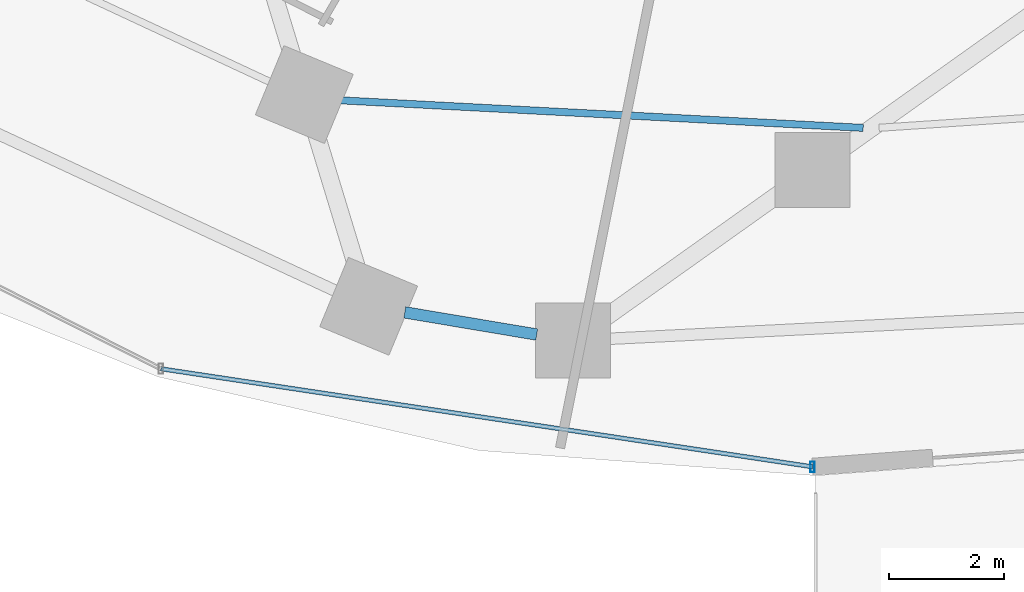
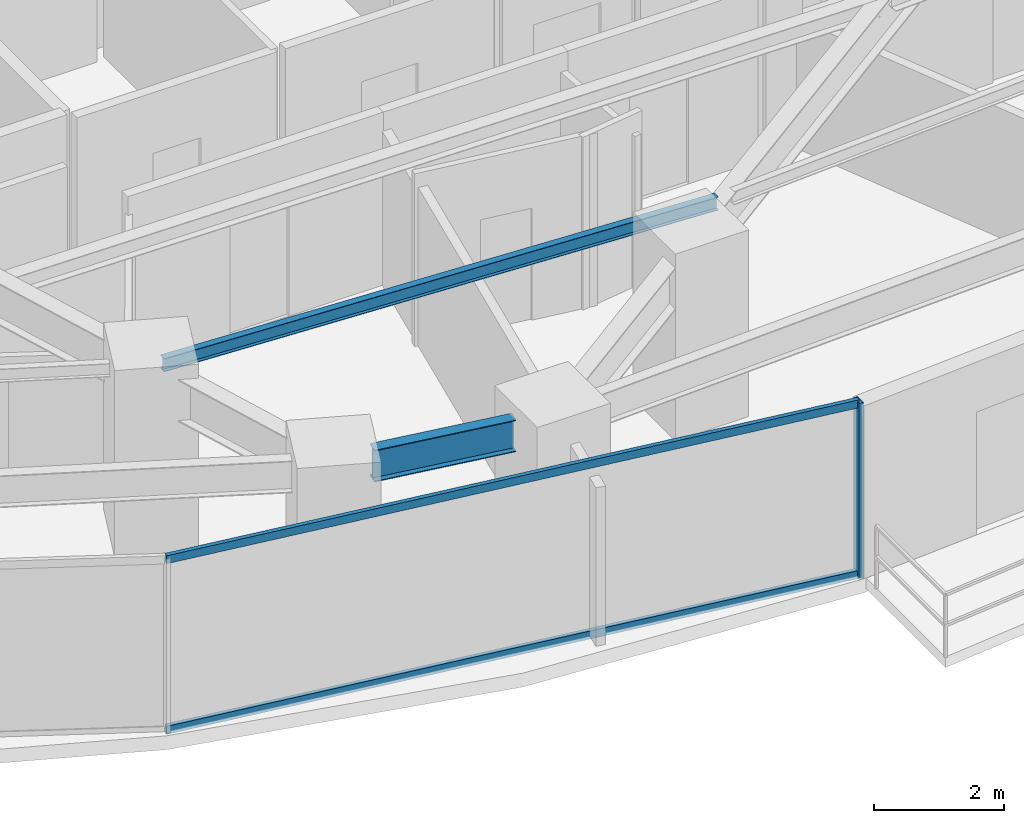
# One storey, part 6 of 35: 3 members, 2 beams, 1 element without a shape of its own.
"""IFC4 building model written with IfcOpenShell, lengths in metres."""

import ifcopenshell
import ifcopenshell.guid

model = None  # the IFC model being written
_history = None  # IfcOwnerHistory: only IFC2X3 demands one
_inside = {}  # id of a spatial element -> (the spatial element, [elements in it])
_under = {}  # id of a project, library or spatial element -> (it, [spatial elements below it])
_declared = {}  # id of a project -> (the project, [libraries it declares])
_typed = {}  # id of a type object -> (the type object, [elements of that type])
_made_of = {}  # id of a material, layer set ... -> (it, [elements and type objects made of it])


def new_model(schema):
    """Start an empty IFC model of exactly this schema.

    Asked for "IFC4X3", IfcOpenShell would pick the latest addendum, in which some entities
    have other attributes; the version numbers below select the first issue.
    IFC2X3 requires an IfcOwnerHistory on every rooted entity: one is made here for all.
    """
    global model, _history
    if schema == "IFC4X3":
        model = ifcopenshell.file(schema_version=(4, 3, 0, 0))
    else:
        model = ifcopenshell.file(schema=schema)
    _inside.clear()
    _under.clear()
    _declared.clear()
    _typed.clear()
    _made_of.clear()
    _history = None
    if model.schema == "IFC2X3":
        org = make("IfcOrganization", Name="unknown")
        user = make(
            "IfcPersonAndOrganization",
            ThePerson=make("IfcPerson", FamilyName="unknown"),
            TheOrganization=org,
        )
        app = make(
            "IfcApplication",
            ApplicationDeveloper=org,
            Version="unknown",
            ApplicationFullName="unknown",
            ApplicationIdentifier="unknown",
        )
        _history = make(
            "IfcOwnerHistory",
            OwningUser=user,
            OwningApplication=app,
            ChangeAction="ADDED",
            CreationDate=0,
        )
    return model


def make(cls, **values):
    """One entity of the class cls with the attributes given. An attribute that is None is left unset."""
    return model.create_entity(
        cls, **{name: value for name, value in values.items() if value is not None}
    )


def rooted(cls, **values):
    """An entity with a GlobalId (a new one), such as an element, a storey or a relation."""
    return make(cls, GlobalId=ifcopenshell.guid.new(), OwnerHistory=_history, **values)


def si_unit(unit_type, name, prefix=None):
    """IfcSIUnit, for example si_unit("LENGTHUNIT", "METRE", prefix="MILLI")."""
    return make("IfcSIUnit", UnitType=unit_type, Prefix=prefix, Name=name)


def assignment(units):
    """IfcUnitAssignment: the units of a project."""
    return None if units is None else make("IfcUnitAssignment", Units=units)


def point(xyz):
    """IfcCartesianPoint."""
    return None if xyz is None else make("IfcCartesianPoint", Coordinates=xyz)


def direction(xyz):
    """IfcDirection."""
    return None if xyz is None else make("IfcDirection", DirectionRatios=xyz)


def frame(location, z_axis=None, x_axis=None):
    """IfcAxis2Placement3D, a coordinate frame: its origin and axes. An axis left out is left unset."""
    return make(
        "IfcAxis2Placement3D",
        Location=point(location),
        Axis=direction(z_axis),
        RefDirection=direction(x_axis),
    )


def frame_2d(location, x_axis=None):
    """IfcAxis2Placement2D, a coordinate frame in the plane: its origin and x axis."""
    return make(
        "IfcAxis2Placement2D", Location=point(location), RefDirection=direction(x_axis)
    )


def origin():
    """The frame at (0, 0, 0) with its axes left unset."""
    return frame((0.0, 0.0, 0.0))


def origin_2d():
    """The frame at (0, 0) in the plane with its x axis left unset."""
    return frame_2d((0.0, 0.0))


def place(relative_to, where):
    """IfcLocalPlacement: puts the frame where relative to a parent placement (None: the world)."""
    return make(
        "IfcLocalPlacement", PlacementRelTo=relative_to, RelativePlacement=where
    )


def context(
    kind, dimensions, precision=None, world=None, true_north=None, identifier=None
):
    """IfcGeometricRepresentationContext, for example the 3D "Model" context."""
    return make(
        "IfcGeometricRepresentationContext",
        ContextIdentifier=identifier,
        ContextType=kind,
        CoordinateSpaceDimension=dimensions,
        Precision=precision,
        WorldCoordinateSystem=world,
        TrueNorth=true_north,
    )


def subcontext(parent, identifier, kind, view, scale=None):
    """IfcGeometricRepresentationSubContext, for example "Body" below "Model"."""
    return make(
        "IfcGeometricRepresentationSubContext",
        ContextIdentifier=identifier,
        ContextType=kind,
        ParentContext=parent,
        TargetScale=scale,
        TargetView=view,
    )


def project(units=None, contexts=None):
    """IfcProject with its units and contexts."""
    return rooted(
        "IfcProject",
        Name="project",
        RepresentationContexts=contexts,
        UnitsInContext=assignment(units),
    )


def spatial(cls, under=None, at=None, **own):
    """A site, building, storey or space (cls), placed at a placement, below another one or the project."""
    s = rooted(cls, ObjectPlacement=at, **own)
    if under is not None:
        _under.setdefault(under.id(), (under, []))[1].append(s)
    return s


def profile(cls, at=None, kind="AREA", **sizes):
    """A parametric profile (cls). Its sizes go by their IFC names, for example OverallWidth=200.0."""
    return make(cls, ProfileType=kind, Position=at, **sizes)


def hollow_rectangle(**sizes):
    """IfcRectangleHollowProfileDef."""
    return profile("IfcRectangleHollowProfileDef", **sizes)


def i_section(**sizes):
    """IfcIShapeProfileDef."""
    return profile("IfcIShapeProfileDef", **sizes)


def extrude(swept, where, along, depth):
    """IfcExtrudedAreaSolid: the profile swept, set in the frame where, extruded along a direction by depth."""
    return make(
        "IfcExtrudedAreaSolid",
        SweptArea=swept,
        Position=where,
        ExtrudedDirection=direction(along),
        Depth=depth,
    )


def shape(context_of_items, identifier, shape_type, items):
    """IfcShapeRepresentation: the items that make up one representation, for example the "Body"."""
    return make(
        "IfcShapeRepresentation",
        ContextOfItems=context_of_items,
        RepresentationIdentifier=identifier,
        RepresentationType=shape_type,
        Items=items,
    )


def material(Name=None, Category=None):
    """IfcMaterial."""
    return make("IfcMaterial", Name=Name, Category=Category)


def material_profile(
    of_material, cross_section, Name=None, Category=None, Priority=None
):
    """IfcMaterialProfile: a cross section and its material."""
    return make(
        "IfcMaterialProfile",
        Name=Name,
        Material=of_material,
        Profile=cross_section,
        Priority=Priority,
        Category=Category,
    )


def profile_set(profiles, Name=None, composite=None):
    """IfcMaterialProfileSet."""
    return make(
        "IfcMaterialProfileSet",
        Name=Name,
        MaterialProfiles=profiles,
        CompositeProfile=composite,
    )


def made_of(thing, what):
    """Note that an element or type object is made of a material, layer set ...; save() writes the relation."""
    if what is not None:
        _made_of.setdefault(what.id(), (what, []))[1].append(thing)
    return thing


def type_object(cls, material=None, **own):
    """A type object (cls), such as IfcWallType, which elements share."""
    return made_of(rooted(cls, **own), material)


def element(
    cls,
    number,
    at=None,
    inside=None,
    cuts=None,
    type_object=None,
    material=None,
    context=None,
    identifier="Body",
    shape_type=None,
    held_by="IfcProductDefinitionShape",
    body=None,
    shapes=None,
    **own,
):
    """One element of the class cls, such as IfcWall. Its Tag is "e" and its number.

    at: its placement. inside: the storey or other place that contains it. cuts: it is an
    opening in that element (IfcRelVoidsElement). A single representation is given by context,
    identifier, shape_type and body (its items); several are given by shapes. held_by: the class
    of the entity that holds the representations. save() writes the other relations.
    """
    e = rooted(cls, Tag="e%d" % number, ObjectPlacement=at, **own)
    if body is not None:
        shapes = [shape(context, identifier, shape_type, body)]
    if shapes is not None:
        e.Representation = make(held_by, Representations=shapes)
    if inside is not None:
        _inside.setdefault(inside.id(), (inside, []))[1].append(e)
    if cuts is not None:
        rooted(
            "IfcRelVoidsElement", RelatingBuildingElement=cuts, RelatedOpeningElement=e
        )
    if type_object is not None:
        _typed.setdefault(type_object.id(), (type_object, []))[1].append(e)
    return made_of(e, material)


def aggregate(whole, parts):
    """IfcRelAggregates: a whole, such as a stair, and the parts it consists of."""
    return rooted("IfcRelAggregates", RelatingObject=whole, RelatedObjects=parts)


def save(model, path):
    """Write the relations noted so far, then the file.

    IfcRelAggregates (storeys below a building ...), IfcRelContainedInSpatialStructure (elements
    in a storey), IfcRelDefinesByType, IfcRelAssociatesMaterial and IfcRelDeclares: one each for
    every whole, place, type object, material and project.
    """
    for whole, parts in _under.values():
        aggregate(whole, parts)
    for where, things in _inside.values():
        rooted(
            "IfcRelContainedInSpatialStructure",
            RelatedElements=things,
            RelatingStructure=where,
        )
    for kind, things in _typed.values():
        rooted("IfcRelDefinesByType", RelatedObjects=things, RelatingType=kind)
    for what, things in _made_of.values():
        rooted("IfcRelAssociatesMaterial", RelatedObjects=things, RelatingMaterial=what)
    for by, libraries in _declared.values():
        rooted("IfcRelDeclares", RelatingContext=by, RelatedDefinitions=libraries)
    model.write(path)


model = new_model("IFC4")

# Units and contexts
model_context = context("Model", 3, precision=1e-05, world=origin(), true_north=direction((0.0, 1.0)))
body_context = subcontext(model_context, "Body", "Model", "MODEL_VIEW")
ifc_project = project(units=[si_unit("LENGTHUNIT", "METRE"), si_unit("AREAUNIT", "SQUARE_METRE"), si_unit("VOLUMEUNIT", "CUBIC_METRE"), si_unit("PLANEANGLEUNIT", "RADIAN"), si_unit("MASSUNIT", "GRAM", prefix="KILO")], contexts=[model_context])

# Site, building, storey
site_placement = place(None, origin())
site = spatial("IfcSite", under=ifc_project, at=site_placement, CompositionType="ELEMENT")
building_placement = place(site_placement, origin())
building = spatial("IfcBuilding", under=site, at=building_placement, Name="Vorneva Point Tower", CompositionType="ELEMENT")
storey_placement = place(building_placement, frame((0.0, 0.0, 45.0)))
storey = spatial("IfcBuildingStorey", under=building, at=storey_placement, Name="L11", CompositionType="ELEMENT", Elevation=45.0)

# Beams
ifc_material_1 = material(Name="Steel S355", Category="steel")
ifc_material_profile_1 = material_profile(ifc_material_1, i_section(OverallWidth=0.1240234375, OverallDepth=0.248046875, WebThickness=0.0048828125, FlangeThickness=0.008056640625, at=origin_2d()), Name="25B1")
ifc_profile_set_1 = profile_set([ifc_material_profile_1], Name="Steel S355")
beam_type_1 = type_object("IfcBeamType", Name="BM-JST-25B1", PredefinedType="JOIST", material=ifc_profile_set_1)
beam_1_placement = place(storey_placement, frame((29.33740234375, 10.034423828125, 3.115966796875), z_axis=(0.998612601522, -0.05265806759, 0.0), x_axis=(0.05265806759, 0.998612601522, 0.0)))
element("IfcBeam", 1, at=beam_1_placement, inside=storey, type_object=beam_type_1, Name="L11 Secondary Floor Beam 1.12", PredefinedType="JOIST", context=body_context, shape_type="SweptSolid", body=[
    extrude(i_section(OverallWidth=0.1240234375, OverallDepth=0.248046875, WebThickness=0.0048828125, FlangeThickness=0.008056640625, at=origin_2d()), origin(), (0.0, 0.0, 1.0), 9.555419921875),
])
ifc_material_profile_2 = material_profile(ifc_material_1, i_section(OverallWidth=0.198974609375, OverallDepth=0.595947265625, WebThickness=0.010009765625, FlangeThickness=0.014892578125, at=origin_2d()), Name="60B1")
ifc_profile_set_2 = profile_set([ifc_material_profile_2], Name="Steel S355")
beam_type_2 = type_object("IfcBeamType", Name="BM-SPN-60B1", PredefinedType="SPANDREL", material=ifc_profile_set_2)
beam_2_placement = place(storey_placement, frame((30.923095703125, 6.330078125, 2.94189453125), z_axis=(0.986171485548, -0.165728093852, 0.0), x_axis=(0.165728093852, 0.986171485548, 0.0)))
element("IfcBeam", 2, at=beam_2_placement, inside=storey, type_object=beam_type_2, Name="L11 Perimeter Spandrel Ring Beam 12", PredefinedType="SPANDREL", context=body_context, shape_type="SweptSolid", body=[
    extrude(i_section(OverallWidth=0.198974609375, OverallDepth=0.595947265625, WebThickness=0.010009765625, FlangeThickness=0.014892578125, at=origin_2d()), origin(), (0.0, 0.0, 1.0), 2.3232421875),
])

# Curtain wall, members
ifc_material_2 = material(Name="Pale anodised aluminium", Category="aluminium")
curtain_wall_type = type_object("IfcCurtainWallType", Name="CW-HTL-SYS", PredefinedType="NOTDEFINED", material=ifc_material_2)
curtain_wall_placement = place(storey_placement, origin())
curtain_wall = element("IfcCurtainWall", 3, at=curtain_wall_placement, inside=storey, type_object=curtain_wall_type, Name="L11 Unitised Curtain Wall CW-L11-R04", PredefinedType="NOTDEFINED")
ifc_material_profile_3 = material_profile(ifc_material_2, hollow_rectangle(XDim=0.074951171875, YDim=0.179931640625, WallThickness=0.00390625, at=origin_2d()), Name="AL-MUL 180x75x4")
ifc_profile_set_3 = profile_set([ifc_material_profile_3], Name="Pale anodised aluminium")
member_type_1 = type_object("IfcMemberType", Name="CW-MUL-180", PredefinedType="MULLION", material=ifc_profile_set_3)
member_1_placement = place(storey_placement, frame((38.0, 3.64990234375, -0.0400390625), z_axis=(0.0, 0.0, 1.0), x_axis=(1.0, 0.0, 0.0)))
member_1 = element("IfcMember", 4, at=member_1_placement, type_object=member_type_1, Name="CW-L11-R04 Mullion 03", PredefinedType="MULLION", context=body_context, shape_type="SweptSolid", body=[
    extrude(hollow_rectangle(XDim=0.074951171875, YDim=0.179931640625, WallThickness=0.00390625, at=origin_2d()), origin(), (0.0, 0.0, 1.0), 3.31005859375),
])
ifc_material_profile_4 = material_profile(ifc_material_2, hollow_rectangle(XDim=0.074951171875, YDim=0.14990234375, WallThickness=0.00390625, at=origin_2d()), Name="AL-TRN 150x75x4")
ifc_profile_set_4 = profile_set([ifc_material_profile_4], Name="Pale anodised aluminium")
member_type_2 = type_object("IfcMemberType", Name="CW-TRN-150", PredefinedType="USERDEFINED", material=ifc_profile_set_4)
member_2_placement = place(storey_placement, frame((26.691650390625, 5.351318359375, 0.02001953125), z_axis=(0.988870014575, -0.148782036131, 0.0), x_axis=(0.148782036131, 0.988870014575, 0.0)))
member_2 = element("IfcMember", 5, at=member_2_placement, type_object=member_type_2, Name="CW-L11-R04 Transom 02.1", ObjectType="TRANSOM", PredefinedType="USERDEFINED", context=body_context, shape_type="SweptSolid", body=[
    extrude(hollow_rectangle(XDim=0.074951171875, YDim=0.14990234375, WallThickness=0.00390625, at=origin_2d()), origin(), (0.0, 0.0, 1.0), 11.435546875),
])
member_3_placement = place(storey_placement, frame((26.691650390625, 5.351318359375, 3.219970703125), z_axis=(0.988870014575, -0.148782036131, 0.0), x_axis=(0.148782036131, 0.988870014575, 0.0)))
member_3 = element("IfcMember", 6, at=member_3_placement, type_object=member_type_2, Name="CW-L11-R04 Transom 02.2", ObjectType="TRANSOM", PredefinedType="USERDEFINED", context=body_context, shape_type="SweptSolid", body=[
    extrude(hollow_rectangle(XDim=0.074951171875, YDim=0.14990234375, WallThickness=0.00390625, at=origin_2d()), origin(), (0.0, 0.0, 1.0), 11.435546875),
])
aggregate(curtain_wall, [member_1, member_2, member_3])

save(model, "model.ifc")
